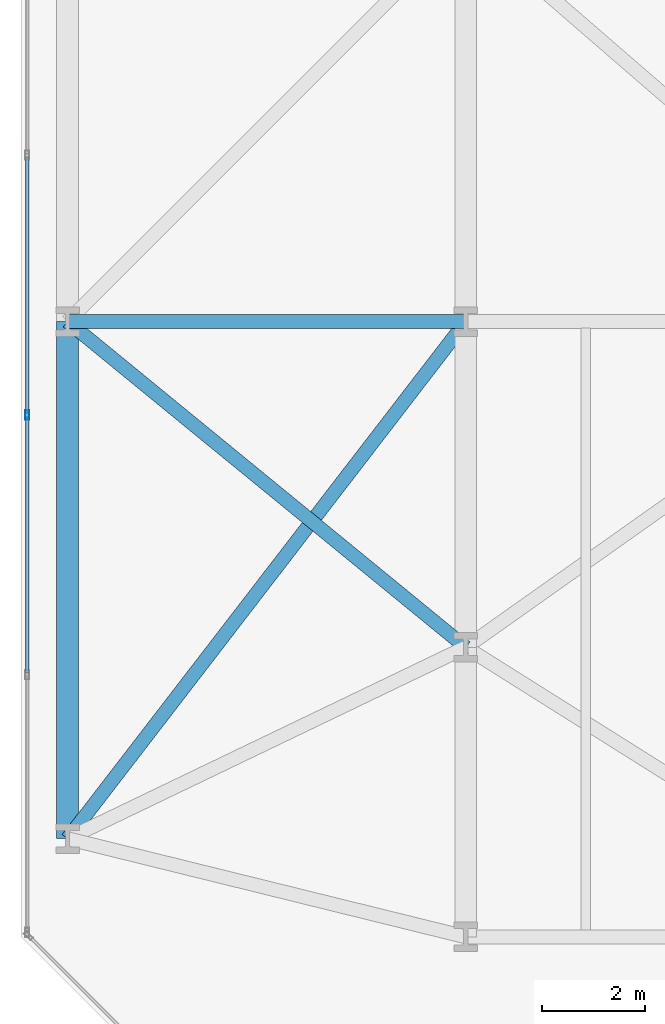
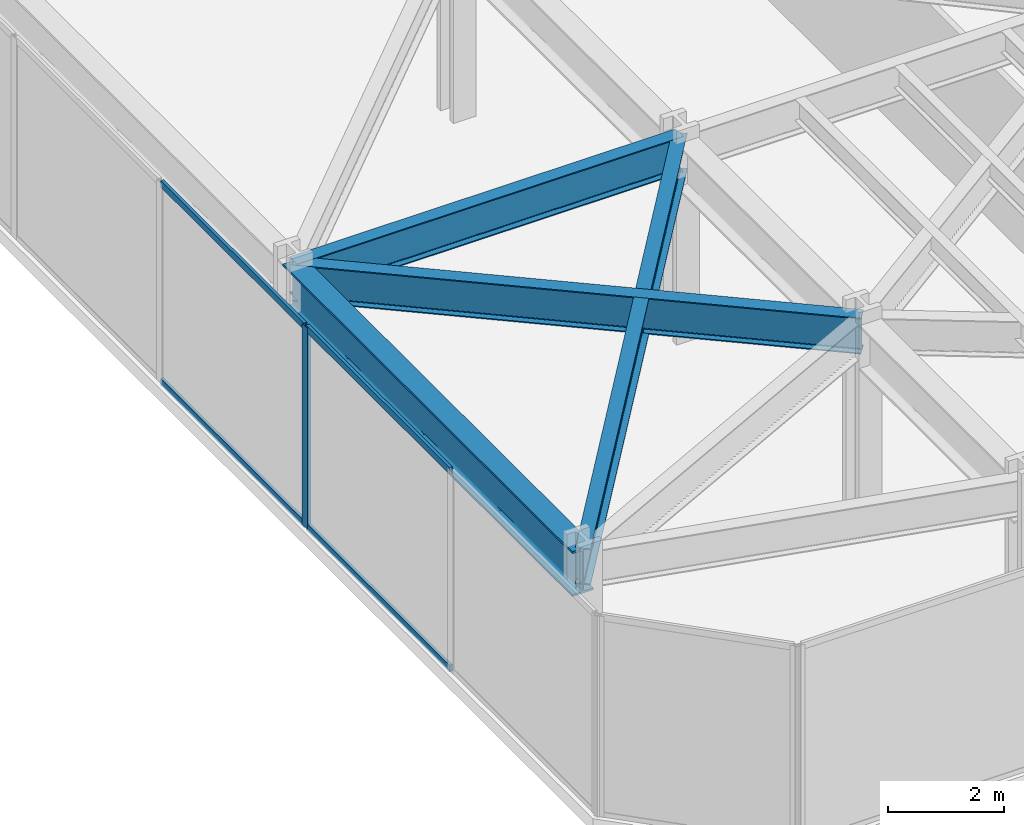
# One storey, part 4 of 28: 5 members, 4 beams, 1 element without a shape of its own.
"""IFC4 building model written with IfcOpenShell, lengths in metres."""

from ifc_helpers import new_model, si_unit, direction, frame, origin, origin_2d, place, context, subcontext, project, spatial, hollow_rectangle, i_section, extrude, material, layer, layer_set, material_profile, profile_set, type_object, element, aggregate, save


model = new_model("IFC4")

# Units and contexts
model_context = context("Model", 3, precision=1e-05, world=origin(), true_north=direction((0.0, 1.0)))
body_context = subcontext(model_context, "Body", "Model", "MODEL_VIEW")
ifc_project = project(units=[si_unit("LENGTHUNIT", "METRE"), si_unit("AREAUNIT", "SQUARE_METRE"), si_unit("VOLUMEUNIT", "CUBIC_METRE"), si_unit("PLANEANGLEUNIT", "RADIAN"), si_unit("MASSUNIT", "GRAM", prefix="KILO")], contexts=[model_context])

# Site, building, storey
site_placement = place(None, origin())
site = spatial("IfcSite", under=ifc_project, at=site_placement, CompositionType="ELEMENT")
building_placement = place(site_placement, origin())
building = spatial("IfcBuilding", under=site, at=building_placement, Name="Kravanh Interchange Tower", CompositionType="ELEMENT")
storey_placement = place(building_placement, frame((0.0, 0.0, 10.800048828125)))
storey = spatial("IfcBuildingStorey", under=building, at=storey_placement, Name="L02", CompositionType="ELEMENT", Elevation=10.800048828125)

# Curtain wall, members
ifc_material_1 = material(Name="Anodised Bronze Aluminium", Category="aluminium")
ifc_layer = layer(ifc_material_1, 0.179931640625)
ifc_layer_set = layer_set([ifc_layer], Name="Unitised Curtain Wall System CW-POD Podium Concourse")
curtain_wall_type = type_object("IfcCurtainWallType", Name="Unitised Curtain Wall System CW-POD Podium Concourse", PredefinedType="NOTDEFINED", material=ifc_layer_set)
curtain_wall_placement = place(storey_placement, origin())
curtain_wall = element("IfcCurtainWall", 1, at=curtain_wall_placement, inside=storey, type_object=curtain_wall_type, Name="L02 Unitised Curtain Wall CW-L02-01", PredefinedType="NOTDEFINED")
ifc_material_2 = material(Name="Anodised Bronze Aluminium", Category="aluminium")
ifc_material_profile_1 = material_profile(ifc_material_2, hollow_rectangle(XDim=0.070068359375, YDim=0.179931640625, WallThickness=0.00390625, at=origin_2d()), Name="ALU70X180X4")
ifc_profile_set_1 = profile_set([ifc_material_profile_1], Name="Anodised Bronze Aluminium")
member_type_1 = type_object("IfcMemberType", Name="Curtain Wall Mullion ALU70X180X4 Bronze", PredefinedType="MULLION", material=ifc_profile_set_1)
member_1_placement = place(storey_placement, frame((0.1201171875, 12.692626953125, 0.0), z_axis=(0.0, 0.0, 1.0), x_axis=(-1.0, 0.0, 0.0)))
member_1 = element("IfcMember", 2, at=member_1_placement, type_object=member_type_1, Name="CW-POD mullion 3", PredefinedType="MULLION", context=body_context, shape_type="SweptSolid", body=[
    extrude(hollow_rectangle(XDim=0.070068359375, YDim=0.179931640625, WallThickness=0.00390625, at=origin_2d()), origin(), (0.0, 0.0, 1.0), 4.22998046875),
])
ifc_material_3 = material(Name="Anodised Bronze Aluminium", Category="aluminium")
ifc_material_profile_2 = material_profile(ifc_material_3, hollow_rectangle(XDim=0.06005859375, YDim=0.139892578125, WallThickness=0.00390625, at=origin_2d()), Name="ALU60X140X4")
ifc_profile_set_2 = profile_set([ifc_material_profile_2], Name="Anodised Bronze Aluminium")
member_type_2 = type_object("IfcMemberType", Name="Curtain Wall Transom ALU60X140X4 Bronze", PredefinedType="USERDEFINED", material=ifc_profile_set_2)
member_2_placement = place(storey_placement, frame((0.1201171875, 7.7060546875, 0.030029296875), z_axis=(0.0, 1.0, 0.0), x_axis=(-1.0, 0.0, 0.0)))
member_2 = element("IfcMember", 3, at=member_2_placement, type_object=member_type_2, Name="CW-POD transom 2.1", ObjectType="TRANSOM", PredefinedType="USERDEFINED", context=body_context, shape_type="SweptSolid", body=[
    extrude(hollow_rectangle(XDim=0.06005859375, YDim=0.139892578125, WallThickness=0.00390625, at=origin_2d()), origin(), (0.0, 0.0, 1.0), 4.95166015625),
])
member_3_placement = place(storey_placement, frame((0.1201171875, 7.7060546875, 4.199951171875), z_axis=(0.0, 1.0, 0.0), x_axis=(-1.0, 0.0, 0.0)))
member_3 = element("IfcMember", 4, at=member_3_placement, type_object=member_type_2, Name="CW-POD transom 2.2", ObjectType="TRANSOM", PredefinedType="USERDEFINED", context=body_context, shape_type="SweptSolid", body=[
    extrude(hollow_rectangle(XDim=0.06005859375, YDim=0.139892578125, WallThickness=0.00390625, at=origin_2d()), origin(), (0.0, 0.0, 1.0), 4.95166015625),
])
member_4_placement = place(storey_placement, frame((0.1201171875, 12.7275390625, 0.030029296875), z_axis=(0.0, 1.0, 0.0), x_axis=(-1.0, 0.0, 0.0)))
member_4 = element("IfcMember", 5, at=member_4_placement, type_object=member_type_2, Name="CW-POD transom 3.1", ObjectType="TRANSOM", PredefinedType="USERDEFINED", context=body_context, shape_type="SweptSolid", body=[
    extrude(hollow_rectangle(XDim=0.06005859375, YDim=0.139892578125, WallThickness=0.00390625, at=origin_2d()), origin(), (0.0, 0.0, 1.0), 4.95166015625),
])
member_5_placement = place(storey_placement, frame((0.1201171875, 12.7275390625, 4.199951171875), z_axis=(0.0, 1.0, 0.0), x_axis=(-1.0, 0.0, 0.0)))
member_5 = element("IfcMember", 6, at=member_5_placement, type_object=member_type_2, Name="CW-POD transom 3.2", ObjectType="TRANSOM", PredefinedType="USERDEFINED", context=body_context, shape_type="SweptSolid", body=[
    extrude(hollow_rectangle(XDim=0.06005859375, YDim=0.139892578125, WallThickness=0.00390625, at=origin_2d()), origin(), (0.0, 0.0, 1.0), 4.95166015625),
])
aggregate(curtain_wall, [member_1, member_2, member_3, member_4, member_5])

# Beams
ifc_material_4 = material(Name="Structural Steel S450", Category="steel")
ifc_material_profile_3 = material_profile(ifc_material_4, i_section(OverallWidth=0.423095703125, OverallDepth=0.947998046875, WebThickness=0.02392578125, FlangeThickness=0.042724609375, FilletRadius=0.028076171875, at=origin_2d()), Name="W36X302")
ifc_profile_set_3 = profile_set([ifc_material_profile_3], Name="Structural Steel S450")
beam_type_1 = type_object("IfcBeamType", Name="Floor Beam W36X302 Structural Steel S450", PredefinedType="BEAM", material=ifc_profile_set_3)
beam_1_placement = place(storey_placement, frame((0.89990234375, 4.5, 3.755859375), z_axis=(0.0, 1.0, 0.0), x_axis=(-1.0, 0.0, 0.0)))
element("IfcBeam", 7, at=beam_1_placement, inside=storey, type_object=beam_type_1, Name="L02 Primary Floor Girder 122", PredefinedType="BEAM", context=body_context, shape_type="SweptSolid", body=[
    extrude(i_section(OverallWidth=0.423095703125, OverallDepth=0.947998046875, WebThickness=0.02392578125, FlangeThickness=0.042724609375, FilletRadius=0.028076171875, at=origin_2d()), origin(), (0.0, 0.0, 1.0), 10.0),
])
ifc_material_5 = material(Name="Structural Steel S355", Category="steel")
ifc_material_profile_4 = material_profile(ifc_material_5, i_section(OverallWidth=0.26708984375, OverallDepth=0.761962890625, WebThickness=0.014404296875, FlangeThickness=0.021484375, FilletRadius=0.02490234375, at=origin_2d()), Name="W30X116")
ifc_profile_set_4 = profile_set([ifc_material_profile_4], Name="Structural Steel S355")
beam_type_2 = type_object("IfcBeamType", Name="Floor Spandrel W30X116 Structural Steel S355", PredefinedType="SPANDREL", material=ifc_profile_set_4)
beam_2_placement = place(storey_placement, frame((8.60009765625, 8.199951171875, 3.848876953125), z_axis=(-0.773962765803, 0.633231108799, 0.0), x_axis=(-0.633231108799, -0.773962765803, 0.0)))
element("IfcBeam", 8, at=beam_2_placement, inside=storey, type_object=beam_type_2, Name="L02 Perimeter Spandrel 25", PredefinedType="SPANDREL", context=body_context, shape_type="SweptSolid", body=[
    extrude(i_section(OverallWidth=0.26708984375, OverallDepth=0.761962890625, WebThickness=0.014404296875, FlangeThickness=0.021484375, FilletRadius=0.02490234375, at=origin_2d()), origin(), (0.0, 0.0, 1.0), 9.948974609375),
])
beam_3_placement = place(storey_placement, frame((8.60009765625, 14.5, 3.848876953125), z_axis=(-1.0, 0.0, 0.0), x_axis=(0.0, -1.0, 0.0)))
element("IfcBeam", 9, at=beam_3_placement, inside=storey, type_object=beam_type_2, Name="L02 Perimeter Spandrel 38", PredefinedType="SPANDREL", context=body_context, shape_type="SweptSolid", body=[
    extrude(i_section(OverallWidth=0.26708984375, OverallDepth=0.761962890625, WebThickness=0.014404296875, FlangeThickness=0.021484375, FilletRadius=0.02490234375, at=origin_2d()), origin(), (0.0, 0.0, 1.0), 7.7001953125),
])
beam_4_placement = place(storey_placement, frame((8.60009765625, 14.5, 3.848876953125), z_axis=(-0.610103314761, -0.792321869771, 0.0), x_axis=(0.792321869771, -0.610103314761, 0.0)))
element("IfcBeam", 10, at=beam_4_placement, inside=storey, type_object=beam_type_2, Name="L02 Perimeter Spandrel 40", PredefinedType="SPANDREL", context=body_context, shape_type="SweptSolid", body=[
    extrude(i_section(OverallWidth=0.26708984375, OverallDepth=0.761962890625, WebThickness=0.014404296875, FlangeThickness=0.021484375, FilletRadius=0.02490234375, at=origin_2d()), origin(), (0.0, 0.0, 1.0), 12.62109375),
])

save(model, "model.ifc")
